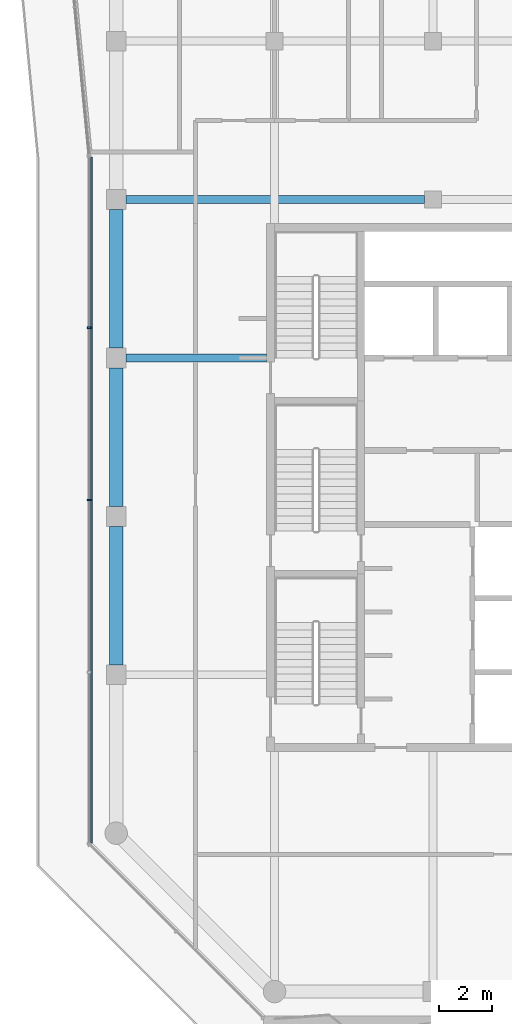
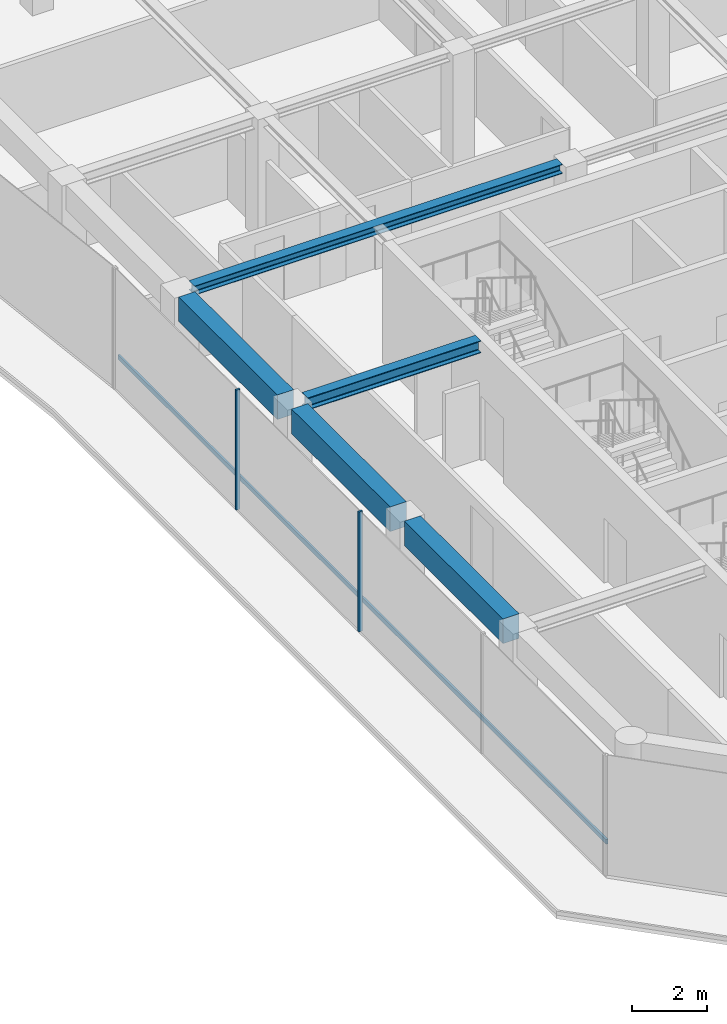
# One storey, part 4 of 22: 5 beams, 3 members, 1 element without a shape of its own.
"""IFC4 building model written with IfcOpenShell, lengths in metres."""

from ifc_helpers import new_model, si_unit, direction, frame, origin, origin_2d, place, context, subcontext, project, spatial, rectangle, i_section, extrude, material, layer, layer_set, material_profile, profile_set, type_object, element, aggregate, save


model = new_model("IFC4")

# Units and contexts
model_context = context("Model", 3, precision=1e-05, world=origin(), true_north=direction((0.0, 1.0)))
body_context = subcontext(model_context, "Body", "Model", "MODEL_VIEW")
ifc_project = project(units=[si_unit("LENGTHUNIT", "METRE"), si_unit("AREAUNIT", "SQUARE_METRE"), si_unit("VOLUMEUNIT", "CUBIC_METRE"), si_unit("PLANEANGLEUNIT", "RADIAN"), si_unit("MASSUNIT", "GRAM", prefix="KILO")], contexts=[model_context])

# Site, building, storey
site_placement = place(None, origin())
site = spatial("IfcSite", under=ifc_project, at=site_placement, CompositionType="ELEMENT")
building_placement = place(site_placement, origin())
building = spatial("IfcBuilding", under=site, at=building_placement, Name="Welwitschia Terrace Campus", CompositionType="ELEMENT")
storey_placement = place(building_placement, frame((0.0, 0.0, 310.39990234375)))
storey = spatial("IfcBuildingStorey", under=building, at=storey_placement, Name="L69", CompositionType="ELEMENT", Elevation=310.39990234375)

# Beam
ifc_material_1 = material(Name="Steel S355", Category="steel")
ifc_material_profile_1 = material_profile(ifc_material_1, i_section(OverallWidth=0.300048828125, OverallDepth=0.300048828125, WebThickness=0.010986328125, FlangeThickness=0.01904296875, FilletRadius=0.027099609375, at=origin_2d()))
ifc_profile_set_1 = profile_set([ifc_material_profile_1], Name="Steel S355")
beam_type_1 = type_object("IfcBeamType", Name="Interior girder HE 300 B", PredefinedType="BEAM", material=ifc_profile_set_1)
beam_1_placement = place(storey_placement, frame((0.365478515625, 26.0, 3.75), z_axis=(1.0, 0.0, 0.0), x_axis=(0.0, 1.0, 0.0)))
element("IfcBeam", 1, at=beam_1_placement, inside=storey, type_object=beam_type_1, Name="Girder GB6", PredefinedType="BEAM", context=body_context, shape_type="SweptSolid", body=[
    extrude(i_section(OverallWidth=0.300048828125, OverallDepth=0.300048828125, WebThickness=0.010986328125, FlangeThickness=0.01904296875, FilletRadius=0.027099609375, at=origin_2d()), origin(), (0.0, 0.0, 1.0), 11.30908203125),
])

# Curtain wall, members
ifc_material_2 = material(Name="Bronze anodised aluminium", Category="aluminium")
ifc_layer = layer(ifc_material_2, 0.1201171875)
ifc_layer_set = layer_set([ifc_layer], Name="Bronze anodised aluminium")
curtain_wall_type = type_object("IfcCurtainWallType", Name="Curtain wall CW2 tower 6000", PredefinedType="NOTDEFINED", material=ifc_layer_set)
curtain_wall_placement = place(storey_placement, origin())
curtain_wall = element("IfcCurtainWall", 2, at=curtain_wall_placement, inside=storey, type_object=curtain_wall_type, Name="CW L69.0.0", PredefinedType="NOTDEFINED")
ifc_material_3 = material(Name="Bronze anodised aluminium", Category="aluminium")
ifc_material_profile_2 = material_profile(ifc_material_3, rectangle(XDim=0.1201171875, YDim=0.06005859375, at=origin_2d()))
ifc_profile_set_2 = profile_set([ifc_material_profile_2], Name="Bronze anodised aluminium")
member_type_1 = type_object("IfcMemberType", Name="Mullion 60x120", PredefinedType="MULLION", material=ifc_profile_set_2)
member_1_placement = place(storey_placement, frame((-1.030029296875, 21.14404296875, 0.0), z_axis=(0.0, 0.0, 1.0), x_axis=(1.0, 0.0, 0.0)))
member_1 = element("IfcMember", 3, at=member_1_placement, type_object=member_type_1, Name="Mullion L69.0.0.1", PredefinedType="MULLION", context=body_context, shape_type="SweptSolid", body=[
    extrude(rectangle(XDim=0.1201171875, YDim=0.06005859375, at=origin_2d()), origin(), (0.0, 0.0, 1.0), 3.900146484375),
])
member_2_placement = place(storey_placement, frame((-1.030029296875, 14.620361328125, 0.0), z_axis=(0.0, 0.0, 1.0), x_axis=(1.0, 0.0, 0.0)))
member_2 = element("IfcMember", 4, at=member_2_placement, type_object=member_type_1, Name="Mullion L69.0.0.2", PredefinedType="MULLION", context=body_context, shape_type="SweptSolid", body=[
    extrude(rectangle(XDim=0.1201171875, YDim=0.06005859375, at=origin_2d()), origin(), (0.0, 0.0, 1.0), 3.900146484375),
])

# Beams
ifc_material_4 = material(Name="Steel S355", Category="steel")
ifc_material_profile_3 = material_profile(ifc_material_4, i_section(OverallWidth=0.300048828125, OverallDepth=0.39990234375, WebThickness=0.013427734375, FlangeThickness=0.02392578125, FilletRadius=0.027099609375, at=origin_2d()))
ifc_profile_set_3 = profile_set([ifc_material_profile_3], Name="Steel S355")
beam_type_2 = type_object("IfcBeamType", Name="Primary beam HE 400 B", PredefinedType="BEAM", material=ifc_profile_set_3)
beam_2_placement = place(storey_placement, frame((0.37548828125, 20.0, 3.7001953125), z_axis=(1.0, 0.0, 0.0), x_axis=(0.0, 1.0, 0.0)))
element("IfcBeam", 5, at=beam_2_placement, inside=storey, type_object=beam_type_2, Name="Primary beam PB6", PredefinedType="BEAM", context=body_context, shape_type="SweptSolid", body=[
    extrude(i_section(OverallWidth=0.300048828125, OverallDepth=0.39990234375, WebThickness=0.013427734375, FlangeThickness=0.02392578125, FilletRadius=0.027099609375, at=origin_2d()), origin(), (0.0, 0.0, 1.0), 5.324462890625),
])
ifc_material_5 = material(Name="Concrete C50/60", Category="concrete")
ifc_material_profile_4 = material_profile(ifc_material_5, rectangle(XDim=0.5, YDim=0.800048828125, at=origin_2d()))
ifc_profile_set_4 = profile_set([ifc_material_profile_4], Name="Concrete C50/60")
beam_type_3 = type_object("IfcBeamType", Name="Ring spandrel 500x800", PredefinedType="SPANDREL", material=ifc_profile_set_4)
for number, where, z_axis, x_axis, name in (
    (6, (0.0, 25.62451171875, 3.5), (0.0, -1.0, 0.0), (1.0, 0.0, 0.0), "Spandrel SP4"),
    (7, (0.0, 19.62451171875, 3.5), (0.0, -1.0, 0.0), (1.0, 0.0, 0.0), "Spandrel SP4"),
    (8, (0.0, 13.62451171875, 3.5), (0.0, -1.0, 0.0), (1.0, 0.0, 0.0), "Spandrel SP4"),
):
    element("IfcBeam", number, at=place(storey_placement, frame(where, z_axis=z_axis, x_axis=x_axis)), inside=storey, type_object=beam_type_3, Name=name, PredefinedType="SPANDREL", context=body_context, shape_type="SweptSolid", body=[
        extrude(rectangle(XDim=0.5, YDim=0.800048828125, at=origin_2d()), origin(), (0.0, 0.0, 1.0), 5.2490234375),
    ])

# Member
ifc_material_6 = material(Name="Bronze anodised aluminium", Category="aluminium")
ifc_material_profile_5 = material_profile(ifc_material_6, rectangle(XDim=0.06005859375, YDim=0.14990234375, at=origin_2d()))
ifc_profile_set_5 = profile_set([ifc_material_profile_5], Name="Bronze anodised aluminium")
member_type_2 = type_object("IfcMemberType", Name="Transom 60x150", PredefinedType="USERDEFINED", material=ifc_profile_set_5)
member_3_placement = place(storey_placement, frame((-0.93994140625, 27.607421875, 1.0), z_axis=(0.0, -1.0, 0.0), x_axis=(1.0, 0.0, 0.0)))
member_3 = element("IfcMember", 9, at=member_3_placement, type_object=member_type_2, Name="Transom L69.0.0", ObjectType="TRANSOM", PredefinedType="USERDEFINED", context=body_context, shape_type="SweptSolid", body=[
    extrude(rectangle(XDim=0.06005859375, YDim=0.14990234375, at=origin_2d()), origin(), (0.0, 0.0, 1.0), 25.97412109375),
])

aggregate(curtain_wall, [member_1, member_2, member_3])

save(model, "model.ifc")
